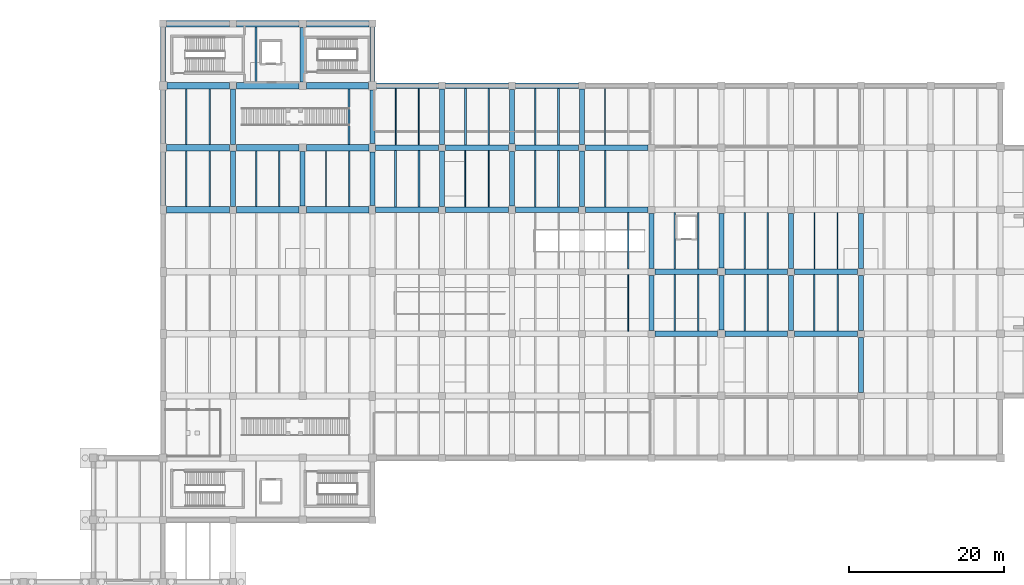
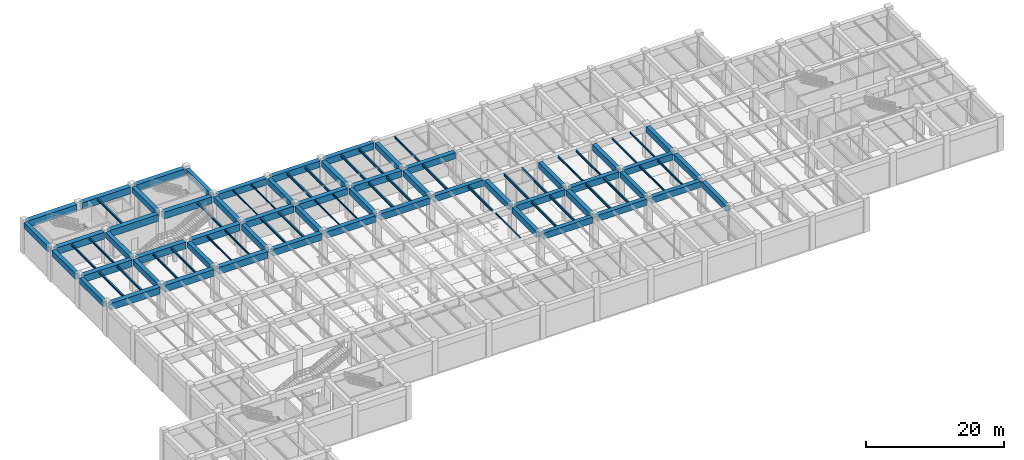
# One storey, part 4 of 20: 92 beams.
"""IFC4 building model written with IfcOpenShell, lengths in metres."""

from ifc_helpers import new_model, si_unit, derived_unit, direction, frame, origin, origin_2d, place, context, subcontext, project, spatial, rectangle, i_section, extrude, material, material_profile, profile_set, type_object, element, save


model = new_model("IFC4")

# Units and contexts
model_context = context("Model", 3, precision=1e-05, world=origin(), true_north=direction((0.0, 1.0)))
body_context = subcontext(model_context, "Body", "Model", "MODEL_VIEW")
ifc_project = project(units=[si_unit("LENGTHUNIT", "METRE"), si_unit("AREAUNIT", "SQUARE_METRE"), si_unit("VOLUMEUNIT", "CUBIC_METRE"), si_unit("PLANEANGLEUNIT", "RADIAN"), si_unit("MASSUNIT", "GRAM", prefix="KILO"), derived_unit("THERMALTRANSMITTANCEUNIT", [(si_unit("MASSUNIT", "GRAM", prefix="KILO"), 1), (si_unit("TIMEUNIT", "SECOND"), -3), (si_unit("THERMODYNAMICTEMPERATUREUNIT", "KELVIN"), -1)])], contexts=[model_context])

# Site, building, storey
site_placement = place(None, origin())
site = spatial("IfcSite", under=ifc_project, at=site_placement, CompositionType="ELEMENT")
building_placement = place(site_placement, origin())
building = spatial("IfcBuilding", under=site, at=building_placement, Name="Zhenchuan Archway Interchange", CompositionType="ELEMENT")
storey_placement = place(building_placement, frame((0.0, 0.0, -6.0)))
storey = spatial("IfcBuildingStorey", under=building, at=storey_placement, Name="B1", CompositionType="ELEMENT", Elevation=-6.0)

# Beams
ifc_material_1 = material(Name="Concrete C40", Category="concrete")
ifc_material_profile_1 = material_profile(ifc_material_1, rectangle(XDim=0.64990234375, YDim=1.0, at=origin_2d()), Name="RC 650x1000")
ifc_profile_set_1 = profile_set([ifc_material_profile_1], Name="Concrete C40")
beam_type_1 = type_object("IfcBeamType", Name="BM_RC_650x1000", PredefinedType="BEAM", material=ifc_profile_set_1)
beam_1_placement = place(storey_placement, frame((36.0, 64.574951171875, 5.080078125), z_axis=(0.0, 1.0, 0.0), x_axis=(-1.0, 0.0, 0.0)))
element("IfcBeam", 1, at=beam_1_placement, inside=storey, type_object=beam_type_1, Name="Beam 5:J-K (B1)", PredefinedType="BEAM", context=body_context, shape_type="SweptSolid", body=[
    extrude(rectangle(XDim=0.64990234375, YDim=1.0, at=origin_2d()), origin(), (0.0, 0.0, 1.0), 6.85009765625),
])
beam_2_placement = place(storey_placement, frame((36.0, 72.574951171875, 5.080078125), z_axis=(0.0, 1.0, 0.0), x_axis=(-1.0, 0.0, 0.0)))
element("IfcBeam", 2, at=beam_2_placement, inside=storey, type_object=beam_type_1, Name="Beam 5:K-L (B1)", PredefinedType="BEAM", context=body_context, shape_type="SweptSolid", body=[
    extrude(rectangle(XDim=0.64990234375, YDim=1.0, at=origin_2d()), origin(), (0.0, 0.0, 1.0), 6.900146484375),
])
beam_3_placement = place(storey_placement, frame((36.0, 80.52490234375, 5.080078125), z_axis=(0.0, 1.0, 0.0), x_axis=(-1.0, 0.0, 0.0)))
element("IfcBeam", 3, at=beam_3_placement, inside=storey, type_object=beam_type_1, Name="Beam 5:L-M (B1)", PredefinedType="BEAM", context=body_context, shape_type="SweptSolid", body=[
    extrude(rectangle(XDim=0.64990234375, YDim=1.0, at=origin_2d()), origin(), (0.0, 0.0, 1.0), 7.025146484375),
])
for number, where, z_axis, x_axis, name in (
    (4, (45.0, 64.449951171875, 5.080078125), (0.0, 1.0, 0.0), (-1.0, 0.0, 0.0), "Beam 6:J-K (B1)"),
    (5, (45.0, 72.449951171875, 5.080078125), (0.0, 1.0, 0.0), (-1.0, 0.0, 0.0), "Beam 6:K-L (B1)"),
):
    element("IfcBeam", number, at=place(storey_placement, frame(where, z_axis=z_axis, x_axis=x_axis)), inside=storey, type_object=beam_type_1, Name=name, PredefinedType="BEAM", context=body_context, shape_type="SweptSolid", body=[
        extrude(rectangle(XDim=0.64990234375, YDim=1.0, at=origin_2d()), origin(), (0.0, 0.0, 1.0), 7.10009765625),
    ])
for number, where, z_axis, x_axis, name in (
    (6, (54.0, 64.47509765625, 5.080078125), (0.0, 1.0, 0.0), (-1.0, 0.0, 0.0), "Beam 7:J-K (B1)"),
    (7, (54.0, 80.47509765625, 5.080078125), (0.0, 1.0, 0.0), (-1.0, 0.0, 0.0), "Beam 7:L-M (B1)"),
):
    element("IfcBeam", number, at=place(storey_placement, frame(where, z_axis=z_axis, x_axis=x_axis)), inside=storey, type_object=beam_type_1, Name=name, PredefinedType="BEAM", context=body_context, shape_type="SweptSolid", body=[
        extrude(rectangle(XDim=0.64990234375, YDim=1.0, at=origin_2d()), origin(), (0.0, 0.0, 1.0), 7.0498046875),
    ])
beam_4_placement = place(storey_placement, frame((63.0, 64.574951171875, 5.080078125), z_axis=(0.0, 1.0, 0.0), x_axis=(-1.0, 0.0, 0.0)))
element("IfcBeam", 8, at=beam_4_placement, inside=storey, type_object=beam_type_1, Name="Beam 8:J-K (B1)", PredefinedType="BEAM", context=body_context, shape_type="SweptSolid", body=[
    extrude(rectangle(XDim=0.64990234375, YDim=1.0, at=origin_2d()), origin(), (0.0, 0.0, 1.0), 6.85009765625),
])
beam_5_placement = place(storey_placement, frame((63.0, 72.574951171875, 5.080078125), z_axis=(0.0, 1.0, 0.0), x_axis=(-1.0, 0.0, 0.0)))
element("IfcBeam", 9, at=beam_5_placement, inside=storey, type_object=beam_type_1, Name="Beam 8:K-L (B1)", PredefinedType="BEAM", context=body_context, shape_type="SweptSolid", body=[
    extrude(rectangle(XDim=0.64990234375, YDim=1.0, at=origin_2d()), origin(), (0.0, 0.0, 1.0), 6.900146484375),
])
beam_6_placement = place(storey_placement, frame((63.0, 80.52490234375, 5.080078125), z_axis=(0.0, 1.0, 0.0), x_axis=(-1.0, 0.0, 0.0)))
element("IfcBeam", 10, at=beam_6_placement, inside=storey, type_object=beam_type_1, Name="Beam 8:L-M (B1)", PredefinedType="BEAM", context=body_context, shape_type="SweptSolid", body=[
    extrude(rectangle(XDim=0.64990234375, YDim=1.0, at=origin_2d()), origin(), (0.0, 0.0, 1.0), 7.025146484375),
])
for number, where, z_axis, x_axis, name in (
    (11, (72.0, 64.449951171875, 5.080078125), (0.0, 1.0, 0.0), (-1.0, 0.0, 0.0), "Beam 9:J-K (B1)"),
    (12, (72.0, 72.449951171875, 5.080078125), (0.0, 1.0, 0.0), (-1.0, 0.0, 0.0), "Beam 9:K-L (B1)"),
):
    element("IfcBeam", number, at=place(storey_placement, frame(where, z_axis=z_axis, x_axis=x_axis)), inside=storey, type_object=beam_type_1, Name=name, PredefinedType="BEAM", context=body_context, shape_type="SweptSolid", body=[
        extrude(rectangle(XDim=0.64990234375, YDim=1.0, at=origin_2d()), origin(), (0.0, 0.0, 1.0), 7.10009765625),
    ])
for number, where, z_axis, x_axis, name in (
    (13, (81.0, 64.47509765625, 5.080078125), (0.0, 1.0, 0.0), (-1.0, 0.0, 0.0), "Beam 10:J-K (B1)"),
    (14, (81.0, 72.47509765625, 5.080078125), (0.0, 1.0, 0.0), (-1.0, 0.0, 0.0), "Beam 10:K-L (B1)"),
):
    element("IfcBeam", number, at=place(storey_placement, frame(where, z_axis=z_axis, x_axis=x_axis)), inside=storey, type_object=beam_type_1, Name=name, PredefinedType="BEAM", context=body_context, shape_type="SweptSolid", body=[
        extrude(rectangle(XDim=0.64990234375, YDim=1.0, at=origin_2d()), origin(), (0.0, 0.0, 1.0), 7.0498046875),
    ])
for number, where, z_axis, x_axis, name in (
    (15, (90.0, 64.449951171875, 5.080078125), (0.0, 1.0, 0.0), (-1.0, 0.0, 0.0), "Beam 11:J-K (B1)"),
    (16, (90.0, 72.449951171875, 5.080078125), (0.0, 1.0, 0.0), (-1.0, 0.0, 0.0), "Beam 11:K-L (B1)"),
):
    element("IfcBeam", number, at=place(storey_placement, frame(where, z_axis=z_axis, x_axis=x_axis)), inside=storey, type_object=beam_type_1, Name=name, PredefinedType="BEAM", context=body_context, shape_type="SweptSolid", body=[
        extrude(rectangle(XDim=0.64990234375, YDim=1.0, at=origin_2d()), origin(), (0.0, 0.0, 1.0), 7.10009765625),
    ])
ifc_material_profile_2 = material_profile(ifc_material_1, rectangle(XDim=0.64990234375, YDim=1.050048828125, at=origin_2d()), Name="RC 650x1050")
ifc_profile_set_2 = profile_set([ifc_material_profile_2], Name="Concrete C40")
beam_type_2 = type_object("IfcBeamType", Name="BM_RC_650x1050", PredefinedType="BEAM", material=ifc_profile_set_2)
for number, where, z_axis, x_axis, name in (
    (17, (99.0, 48.449951171875, 5.054931640625), (0.0, 1.0, 0.0), (-1.0, 0.0, 0.0), "Beam 12:G-H (B1)"),
    (18, (99.0, 56.449951171875, 5.054931640625), (0.0, 1.0, 0.0), (-1.0, 0.0, 0.0), "Beam 12:H-J (B1)"),
):
    element("IfcBeam", number, at=place(storey_placement, frame(where, z_axis=z_axis, x_axis=x_axis)), inside=storey, type_object=beam_type_2, Name=name, PredefinedType="BEAM", context=body_context, shape_type="SweptSolid", body=[
        extrude(rectangle(XDim=0.64990234375, YDim=1.050048828125, at=origin_2d()), origin(), (0.0, 0.0, 1.0), 7.10009765625),
    ])
for number, where, z_axis, x_axis, name in (
    (19, (108.0, 48.47509765625, 5.054931640625), (0.0, 1.0, 0.0), (-1.0, 0.0, 0.0), "Beam 13:G-H (B1)"),
    (20, (108.0, 56.47509765625, 5.054931640625), (0.0, 1.0, 0.0), (-1.0, 0.0, 0.0), "Beam 13:H-J (B1)"),
):
    element("IfcBeam", number, at=place(storey_placement, frame(where, z_axis=z_axis, x_axis=x_axis)), inside=storey, type_object=beam_type_2, Name=name, PredefinedType="BEAM", context=body_context, shape_type="SweptSolid", body=[
        extrude(rectangle(XDim=0.64990234375, YDim=1.050048828125, at=origin_2d()), origin(), (0.0, 0.0, 1.0), 7.0498046875),
    ])
for number, where, z_axis, x_axis, name in (
    (21, (117.0, 48.449951171875, 5.054931640625), (0.0, 1.0, 0.0), (-1.0, 0.0, 0.0), "Beam 14:G-H (B1)"),
    (22, (117.0, 56.449951171875, 5.054931640625), (0.0, 1.0, 0.0), (-1.0, 0.0, 0.0), "Beam 14:H-J (B1)"),
    (23, (126.0, 40.449951171875, 5.054931640625), (0.0, 1.0, 0.0), (-1.0, 0.0, 0.0), "Beam 15:F-G (B1)"),
    (24, (126.0, 48.449951171875, 5.054931640625), (0.0, 1.0, 0.0), (-1.0, 0.0, 0.0), "Beam 15:G-H (B1)"),
    (25, (126.0, 56.449951171875, 5.054931640625), (0.0, 1.0, 0.0), (-1.0, 0.0, 0.0), "Beam 15:H-J (B1)"),
):
    element("IfcBeam", number, at=place(storey_placement, frame(where, z_axis=z_axis, x_axis=x_axis)), inside=storey, type_object=beam_type_2, Name=name, PredefinedType="BEAM", context=body_context, shape_type="SweptSolid", body=[
        extrude(rectangle(XDim=0.64990234375, YDim=1.050048828125, at=origin_2d()), origin(), (0.0, 0.0, 1.0), 7.10009765625),
    ])
ifc_material_profile_3 = material_profile(ifc_material_1, rectangle(XDim=0.699951171875, YDim=1.10009765625, at=origin_2d()), Name="RC 700x1100")
ifc_profile_set_3 = profile_set([ifc_material_profile_3], Name="Concrete C40")
beam_type_3 = type_object("IfcBeamType", Name="BM_RC_700x1100", PredefinedType="BEAM", material=ifc_profile_set_3)
for number, where, z_axis, x_axis, name in (
    (26, (99.449951171875, 48.0, 5.030029296875), (1.0, 0.0, 0.0), (0.0, 1.0, 0.0), "Beam G:12-13 (B1)"),
    (27, (108.47509765625, 48.0, 5.030029296875), (1.0, 0.0, 0.0), (0.0, 1.0, 0.0), "Beam G:13-14 (B1)"),
):
    element("IfcBeam", number, at=place(storey_placement, frame(where, z_axis=z_axis, x_axis=x_axis)), inside=storey, type_object=beam_type_3, Name=name, PredefinedType="BEAM", context=body_context, shape_type="SweptSolid", body=[
        extrude(rectangle(XDim=0.699951171875, YDim=1.10009765625, at=origin_2d()), origin(), (0.0, 0.0, 1.0), 8.074951171875),
    ])
beam_7_placement = place(storey_placement, frame((117.449951171875, 48.0, 5.030029296875), z_axis=(1.0, 0.0, 0.0), x_axis=(0.0, 1.0, 0.0)))
element("IfcBeam", 28, at=beam_7_placement, inside=storey, type_object=beam_type_3, Name="Beam G:14-15 (B1)", PredefinedType="BEAM", context=body_context, shape_type="SweptSolid", body=[
    extrude(rectangle(XDim=0.699951171875, YDim=1.10009765625, at=origin_2d()), origin(), (0.0, 0.0, 1.0), 8.10009765625),
])
for number, where, z_axis, x_axis, name in (
    (29, (99.449951171875, 56.0, 5.030029296875), (1.0, 0.0, 0.0), (0.0, 1.0, 0.0), "Beam H:12-13 (B1)"),
    (30, (108.47509765625, 56.0, 5.030029296875), (1.0, 0.0, 0.0), (0.0, 1.0, 0.0), "Beam H:13-14 (B1)"),
):
    element("IfcBeam", number, at=place(storey_placement, frame(where, z_axis=z_axis, x_axis=x_axis)), inside=storey, type_object=beam_type_3, Name=name, PredefinedType="BEAM", context=body_context, shape_type="SweptSolid", body=[
        extrude(rectangle(XDim=0.699951171875, YDim=1.10009765625, at=origin_2d()), origin(), (0.0, 0.0, 1.0), 8.074951171875),
    ])
for number, where, z_axis, x_axis, name in (
    (31, (117.449951171875, 56.0, 5.030029296875), (1.0, 0.0, 0.0), (0.0, 1.0, 0.0), "Beam H:14-15 (B1)"),
    (32, (90.449951171875, 64.0, 5.030029296875), (1.0, 0.0, 0.0), (0.0, 1.0, 0.0), "Beam J:11-12 (B1)"),
    (33, (90.449951171875, 72.0, 5.030029296875), (1.0, 0.0, 0.0), (0.0, 1.0, 0.0), "Beam K:11-12 (B1)"),
):
    element("IfcBeam", number, at=place(storey_placement, frame(where, z_axis=z_axis, x_axis=x_axis)), inside=storey, type_object=beam_type_3, Name=name, PredefinedType="BEAM", context=body_context, shape_type="SweptSolid", body=[
        extrude(rectangle(XDim=0.699951171875, YDim=1.10009765625, at=origin_2d()), origin(), (0.0, 0.0, 1.0), 8.10009765625),
    ])
ifc_material_profile_4 = material_profile(ifc_material_1, rectangle(XDim=0.75, YDim=1.14990234375, at=origin_2d()), Name="RC 750x1150")
ifc_profile_set_4 = profile_set([ifc_material_profile_4], Name="Concrete C40")
beam_type_4 = type_object("IfcBeamType", Name="BM_RC_750x1150", PredefinedType="BEAM", material=ifc_profile_set_4)
beam_8_placement = place(storey_placement, frame((63.425048828125, 64.0, 5.0048828125), z_axis=(1.0, 0.0, 0.0), x_axis=(0.0, 1.0, 0.0)))
element("IfcBeam", 34, at=beam_8_placement, inside=storey, type_object=beam_type_4, Name="Beam J:8-9 (B1)", PredefinedType="BEAM", context=body_context, shape_type="SweptSolid", body=[
    extrude(rectangle(XDim=0.75, YDim=1.14990234375, at=origin_2d()), origin(), (0.0, 0.0, 1.0), 8.125),
])
for number, where, z_axis, x_axis, name in (
    (35, (72.449951171875, 64.0, 5.0048828125), (1.0, 0.0, 0.0), (0.0, 1.0, 0.0), "Beam J:9-10 (B1)"),
    (36, (81.47509765625, 64.0, 5.0048828125), (1.0, 0.0, 0.0), (0.0, 1.0, 0.0), "Beam J:10-11 (B1)"),
):
    element("IfcBeam", number, at=place(storey_placement, frame(where, z_axis=z_axis, x_axis=x_axis)), inside=storey, type_object=beam_type_4, Name=name, PredefinedType="BEAM", context=body_context, shape_type="SweptSolid", body=[
        extrude(rectangle(XDim=0.75, YDim=1.14990234375, at=origin_2d()), origin(), (0.0, 0.0, 1.0), 8.074951171875),
    ])
beam_9_placement = place(storey_placement, frame((63.425048828125, 72.0, 5.0048828125), z_axis=(1.0, 0.0, 0.0), x_axis=(0.0, 1.0, 0.0)))
element("IfcBeam", 37, at=beam_9_placement, inside=storey, type_object=beam_type_4, Name="Beam K:8-9 (B1)", PredefinedType="BEAM", context=body_context, shape_type="SweptSolid", body=[
    extrude(rectangle(XDim=0.75, YDim=1.14990234375, at=origin_2d()), origin(), (0.0, 0.0, 1.0), 8.125),
])
for number, where, z_axis, x_axis, name in (
    (38, (72.449951171875, 72.0, 5.0048828125), (1.0, 0.0, 0.0), (0.0, 1.0, 0.0), "Beam K:9-10 (B1)"),
    (39, (81.47509765625, 72.0, 5.0048828125), (1.0, 0.0, 0.0), (0.0, 1.0, 0.0), "Beam K:10-11 (B1)"),
):
    element("IfcBeam", number, at=place(storey_placement, frame(where, z_axis=z_axis, x_axis=x_axis)), inside=storey, type_object=beam_type_4, Name=name, PredefinedType="BEAM", context=body_context, shape_type="SweptSolid", body=[
        extrude(rectangle(XDim=0.75, YDim=1.14990234375, at=origin_2d()), origin(), (0.0, 0.0, 1.0), 8.074951171875),
    ])
beam_10_placement = place(storey_placement, frame((63.52490234375, 80.0, 5.0048828125), z_axis=(1.0, 0.0, 0.0), x_axis=(0.0, 1.0, 0.0)))
element("IfcBeam", 40, at=beam_10_placement, inside=storey, type_object=beam_type_4, Name="Beam L:8-9 (B1)", PredefinedType="BEAM", context=body_context, shape_type="SweptSolid", body=[
    extrude(rectangle(XDim=0.75, YDim=1.14990234375, at=origin_2d()), origin(), (0.0, 0.0, 1.0), 8.025146484375),
])
for number, where, z_axis, x_axis, name in (
    (41, (72.449951171875, 80.0, 5.0048828125), (1.0, 0.0, 0.0), (0.0, 1.0, 0.0), "Beam L:9-10 (B1)"),
    (42, (81.47509765625, 80.0, 5.0048828125), (1.0, 0.0, 0.0), (0.0, 1.0, 0.0), "Beam L:10-11 (B1)"),
):
    element("IfcBeam", number, at=place(storey_placement, frame(where, z_axis=z_axis, x_axis=x_axis)), inside=storey, type_object=beam_type_4, Name=name, PredefinedType="BEAM", context=body_context, shape_type="SweptSolid", body=[
        extrude(rectangle(XDim=0.75, YDim=1.14990234375, at=origin_2d()), origin(), (0.0, 0.0, 1.0), 8.074951171875),
    ])
ifc_material_2 = material(Name="Concrete C50", Category="concrete")
ifc_material_profile_5 = material_profile(ifc_material_2, rectangle(XDim=0.800048828125, YDim=1.199951171875, at=origin_2d()), Name="RC 800x1200")
ifc_profile_set_5 = profile_set([ifc_material_profile_5], Name="Concrete C50")
beam_type_5 = type_object("IfcBeamType", Name="BM_RC_800x1200", PredefinedType="BEAM", material=ifc_profile_set_5)
beam_11_placement = place(storey_placement, frame((36.425048828125, 64.0, 4.97998046875), z_axis=(1.0, 0.0, 0.0), x_axis=(0.0, 1.0, 0.0)))
element("IfcBeam", 43, at=beam_11_placement, inside=storey, type_object=beam_type_5, Name="Beam J:5-6 (B1)", PredefinedType="BEAM", context=body_context, shape_type="SweptSolid", body=[
    extrude(rectangle(XDim=0.800048828125, YDim=1.199951171875, at=origin_2d()), origin(), (0.0, 0.0, 1.0), 8.125),
])
beam_12_placement = place(storey_placement, frame((45.449951171875, 64.0, 4.97998046875), z_axis=(1.0, 0.0, 0.0), x_axis=(0.0, 1.0, 0.0)))
element("IfcBeam", 44, at=beam_12_placement, inside=storey, type_object=beam_type_5, Name="Beam J:6-7 (B1)", PredefinedType="BEAM", context=body_context, shape_type="SweptSolid", body=[
    extrude(rectangle(XDim=0.800048828125, YDim=1.199951171875, at=origin_2d()), origin(), (0.0, 0.0, 1.0), 8.074951171875),
])
beam_13_placement = place(storey_placement, frame((54.47509765625, 64.0, 4.97998046875), z_axis=(1.0, 0.0, 0.0), x_axis=(0.0, 1.0, 0.0)))
element("IfcBeam", 45, at=beam_13_placement, inside=storey, type_object=beam_type_5, Name="Beam J:7-8 (B1)", PredefinedType="BEAM", context=body_context, shape_type="SweptSolid", body=[
    extrude(rectangle(XDim=0.800048828125, YDim=1.199951171875, at=origin_2d()), origin(), (0.0, 0.0, 1.0), 8.099853515625),
])
beam_14_placement = place(storey_placement, frame((36.425048828125, 72.0, 4.97998046875), z_axis=(1.0, 0.0, 0.0), x_axis=(0.0, 1.0, 0.0)))
element("IfcBeam", 46, at=beam_14_placement, inside=storey, type_object=beam_type_5, Name="Beam K:5-6 (B1)", PredefinedType="BEAM", context=body_context, shape_type="SweptSolid", body=[
    extrude(rectangle(XDim=0.800048828125, YDim=1.199951171875, at=origin_2d()), origin(), (0.0, 0.0, 1.0), 8.125),
])
beam_15_placement = place(storey_placement, frame((45.449951171875, 72.0, 4.97998046875), z_axis=(1.0, 0.0, 0.0), x_axis=(0.0, 1.0, 0.0)))
element("IfcBeam", 47, at=beam_15_placement, inside=storey, type_object=beam_type_5, Name="Beam K:6-7 (B1)", PredefinedType="BEAM", context=body_context, shape_type="SweptSolid", body=[
    extrude(rectangle(XDim=0.800048828125, YDim=1.199951171875, at=origin_2d()), origin(), (0.0, 0.0, 1.0), 8.074951171875),
])
beam_16_placement = place(storey_placement, frame((54.47509765625, 72.0, 4.97998046875), z_axis=(1.0, 0.0, 0.0), x_axis=(0.0, 1.0, 0.0)))
element("IfcBeam", 48, at=beam_16_placement, inside=storey, type_object=beam_type_5, Name="Beam K:7-8 (B1)", PredefinedType="BEAM", context=body_context, shape_type="SweptSolid", body=[
    extrude(rectangle(XDim=0.800048828125, YDim=1.199951171875, at=origin_2d()), origin(), (0.0, 0.0, 1.0), 8.099853515625),
])
beam_17_placement = place(storey_placement, frame((36.52490234375, 80.0, 4.97998046875), z_axis=(1.0, 0.0, 0.0), x_axis=(0.0, 1.0, 0.0)))
element("IfcBeam", 49, at=beam_17_placement, inside=storey, type_object=beam_type_5, Name="Beam L:5-6 (B1)", PredefinedType="BEAM", context=body_context, shape_type="SweptSolid", body=[
    extrude(rectangle(XDim=0.800048828125, YDim=1.199951171875, at=origin_2d()), origin(), (0.0, 0.0, 1.0), 8.025146484375),
])
beam_18_placement = place(storey_placement, frame((45.449951171875, 80.0, 4.97998046875), z_axis=(1.0, 0.0, 0.0), x_axis=(0.0, 1.0, 0.0)))
element("IfcBeam", 50, at=beam_18_placement, inside=storey, type_object=beam_type_5, Name="Beam L:6-7 (B1)", PredefinedType="BEAM", context=body_context, shape_type="SweptSolid", body=[
    extrude(rectangle(XDim=0.800048828125, YDim=1.199951171875, at=origin_2d()), origin(), (0.0, 0.0, 1.0), 8.074951171875),
])
beam_19_placement = place(storey_placement, frame((54.47509765625, 80.0, 4.97998046875), z_axis=(1.0, 0.0, 0.0), x_axis=(0.0, 1.0, 0.0)))
element("IfcBeam", 51, at=beam_19_placement, inside=storey, type_object=beam_type_5, Name="Beam L:7-8 (B1)", PredefinedType="BEAM", context=body_context, shape_type="SweptSolid", body=[
    extrude(rectangle(XDim=0.800048828125, YDim=1.199951171875, at=origin_2d()), origin(), (0.0, 0.0, 1.0), 8.0),
])
beam_20_placement = place(storey_placement, frame((36.449951171875, 88.0, 4.97998046875), z_axis=(1.0, 0.0, 0.0), x_axis=(0.0, 1.0, 0.0)))
element("IfcBeam", 52, at=beam_20_placement, inside=storey, type_object=beam_type_5, Name="Beam M:5-6 (B1)", PredefinedType="BEAM", context=body_context, shape_type="SweptSolid", body=[
    extrude(rectangle(XDim=0.800048828125, YDim=1.199951171875, at=origin_2d()), origin(), (0.0, 0.0, 1.0), 8.10009765625),
])
for number, where, z_axis, x_axis, name in (
    (53, (45.449951171875, 88.0, 4.97998046875), (1.0, 0.0, 0.0), (0.0, 1.0, 0.0), "Beam M:6-7 (B1)"),
    (54, (54.47509765625, 88.0, 4.97998046875), (1.0, 0.0, 0.0), (0.0, 1.0, 0.0), "Beam M:7-8 (B1)"),
):
    element("IfcBeam", number, at=place(storey_placement, frame(where, z_axis=z_axis, x_axis=x_axis)), inside=storey, type_object=beam_type_5, Name=name, PredefinedType="BEAM", context=body_context, shape_type="SweptSolid", body=[
        extrude(rectangle(XDim=0.800048828125, YDim=1.199951171875, at=origin_2d()), origin(), (0.0, 0.0, 1.0), 8.074951171875),
    ])
ifc_material_3 = material(Name="Steel Q355", Category="steel")
ifc_material_profile_6 = material_profile(ifc_material_3, i_section(OverallWidth=0.25, OverallDepth=0.340087890625, WebThickness=0.009033203125, FlangeThickness=0.013916015625, FilletRadius=0.01806640625, at=origin_2d()), Name="HM 340x250")
ifc_profile_set_6 = profile_set([ifc_material_profile_6], Name="Steel Q355")
beam_type_6 = type_object("IfcBeamType", Name="JST_STL_HM340", PredefinedType="JOIST", material=ifc_profile_set_6)
for number, where, z_axis, x_axis, name in (
    (55, (48.0, 80.39990234375, 5.409912109375), (0.0, 1.0, 0.0), (-1.0, 0.0, 0.0), "Secondary joist 6-7/L-M #1 (B1)"),
    (56, (60.0, 72.39990234375, 5.409912109375), (0.0, 1.0, 0.0), (-1.0, 0.0, 0.0), "Secondary joist 7-8/K-L #2 (B1)"),
):
    element("IfcBeam", number, at=place(storey_placement, frame(where, z_axis=z_axis, x_axis=x_axis)), inside=storey, type_object=beam_type_6, Name=name, PredefinedType="JOIST", context=body_context, shape_type="SweptSolid", body=[
        extrude(i_section(OverallWidth=0.25, OverallDepth=0.340087890625, WebThickness=0.009033203125, FlangeThickness=0.013916015625, FilletRadius=0.01806640625, at=origin_2d()), origin(), (0.0, 0.0, 1.0), 7.2001953125),
    ])
for number, where, z_axis, x_axis, name in (
    (57, (66.0, 64.375, 5.409912109375), (0.0, 1.0, 0.0), (-1.0, 0.0, 0.0), "Secondary joist 8-9/J-K #1 (B1)"),
    (58, (69.0, 64.375, 5.409912109375), (0.0, 1.0, 0.0), (-1.0, 0.0, 0.0), "Secondary joist 8-9/J-K #2 (B1)"),
):
    element("IfcBeam", number, at=place(storey_placement, frame(where, z_axis=z_axis, x_axis=x_axis)), inside=storey, type_object=beam_type_6, Name=name, PredefinedType="JOIST", context=body_context, shape_type="SweptSolid", body=[
        extrude(i_section(OverallWidth=0.25, OverallDepth=0.340087890625, WebThickness=0.009033203125, FlangeThickness=0.013916015625, FilletRadius=0.01806640625, at=origin_2d()), origin(), (0.0, 0.0, 1.0), 7.25),
    ])
ifc_material_profile_7 = material_profile(ifc_material_3, i_section(OverallWidth=0.125, OverallDepth=0.25, WebThickness=0.006103515625, FlangeThickness=0.009033203125, FilletRadius=0.011962890625, at=origin_2d()), Name="HN 250x125")
ifc_profile_set_7 = profile_set([ifc_material_profile_7], Name="Steel Q355")
beam_type_7 = type_object("IfcBeamType", Name="JST_STL_HN250", PredefinedType="JOIST", material=ifc_profile_set_7)
for number, where, z_axis, x_axis, name in (
    (59, (66.0, 72.375, 5.455078125), (0.0, 1.0, 0.0), (-1.0, 0.0, 0.0), "Secondary joist 8-9/K-L #1 (B1)"),
    (60, (69.0, 72.375, 5.455078125), (0.0, 1.0, 0.0), (-1.0, 0.0, 0.0), "Secondary joist 8-9/K-L #2 (B1)"),
    (61, (75.0, 64.375, 5.455078125), (0.0, 1.0, 0.0), (-1.0, 0.0, 0.0), "Secondary joist 9-10/J-K #1 (B1)"),
    (62, (78.0, 64.375, 5.455078125), (0.0, 1.0, 0.0), (-1.0, 0.0, 0.0), "Secondary joist 9-10/J-K #2 (B1)"),
):
    element("IfcBeam", number, at=place(storey_placement, frame(where, z_axis=z_axis, x_axis=x_axis)), inside=storey, type_object=beam_type_7, Name=name, PredefinedType="JOIST", context=body_context, shape_type="SweptSolid", body=[
        extrude(i_section(OverallWidth=0.125, OverallDepth=0.25, WebThickness=0.006103515625, FlangeThickness=0.009033203125, FilletRadius=0.011962890625, at=origin_2d()), origin(), (0.0, 0.0, 1.0), 7.25),
    ])
beam_21_placement = place(storey_placement, frame((96.0, 48.35009765625, 5.455078125), z_axis=(0.0, 1.0, 0.0), x_axis=(-1.0, 0.0, 0.0)))
element("IfcBeam", 63, at=beam_21_placement, inside=storey, type_object=beam_type_7, Name="Secondary joist 11-12/G-H #2 (B1)", PredefinedType="JOIST", context=body_context, shape_type="SweptSolid", body=[
    extrude(i_section(OverallWidth=0.125, OverallDepth=0.25, WebThickness=0.006103515625, FlangeThickness=0.009033203125, FilletRadius=0.011962890625, at=origin_2d()), origin(), (0.0, 0.0, 1.0), 7.2998046875),
])
ifc_material_profile_8 = material_profile(ifc_material_3, i_section(OverallWidth=0.14990234375, OverallDepth=0.300048828125, WebThickness=0.006591796875, FlangeThickness=0.009033203125, FilletRadius=0.012939453125, at=origin_2d()), Name="HN 300x150")
ifc_profile_set_8 = profile_set([ifc_material_profile_8], Name="Steel Q355")
beam_type_8 = type_object("IfcBeamType", Name="JST_STL_HN300", PredefinedType="JOIST", material=ifc_profile_set_8)
for number, where, z_axis, x_axis, name in (
    (64, (57.0, 64.39990234375, 5.429931640625), (0.0, 1.0, 0.0), (-1.0, 0.0, 0.0), "Secondary joist 7-8/J-K #1 (B1)"),
    (65, (60.0, 64.39990234375, 5.429931640625), (0.0, 1.0, 0.0), (-1.0, 0.0, 0.0), "Secondary joist 7-8/J-K #2 (B1)"),
):
    element("IfcBeam", number, at=place(storey_placement, frame(where, z_axis=z_axis, x_axis=x_axis)), inside=storey, type_object=beam_type_8, Name=name, PredefinedType="JOIST", context=body_context, shape_type="SweptSolid", body=[
        extrude(i_section(OverallWidth=0.14990234375, OverallDepth=0.300048828125, WebThickness=0.006591796875, FlangeThickness=0.009033203125, FilletRadius=0.012939453125, at=origin_2d()), origin(), (0.0, 0.0, 1.0), 7.2001953125),
    ])
for number, where, z_axis, x_axis, name in (
    (66, (120.0, 56.35009765625, 5.429931640625), (0.0, 1.0, 0.0), (-1.0, 0.0, 0.0), "Secondary joist 14-15/H-J #1 (B1)"),
    (67, (123.0, 56.35009765625, 5.429931640625), (0.0, 1.0, 0.0), (-1.0, 0.0, 0.0), "Secondary joist 14-15/H-J #2 (B1)"),
):
    element("IfcBeam", number, at=place(storey_placement, frame(where, z_axis=z_axis, x_axis=x_axis)), inside=storey, type_object=beam_type_8, Name=name, PredefinedType="JOIST", context=body_context, shape_type="SweptSolid", body=[
        extrude(i_section(OverallWidth=0.14990234375, OverallDepth=0.300048828125, WebThickness=0.006591796875, FlangeThickness=0.009033203125, FilletRadius=0.012939453125, at=origin_2d()), origin(), (0.0, 0.0, 1.0), 7.2998046875),
    ])
ifc_material_profile_9 = material_profile(ifc_material_3, i_section(OverallWidth=0.175048828125, OverallDepth=0.35009765625, WebThickness=0.007080078125, FlangeThickness=0.010986328125, FilletRadius=0.013916015625, at=origin_2d()), Name="HN 350x175")
ifc_profile_set_9 = profile_set([ifc_material_profile_9], Name="Steel Q355")
beam_type_9 = type_object("IfcBeamType", Name="JST_STL_HN350", PredefinedType="JOIST", material=ifc_profile_set_9)
for number, where, z_axis, x_axis, name in (
    (68, (39.0, 72.39990234375, 5.405029296875), (0.0, 1.0, 0.0), (-1.0, 0.0, 0.0), "Secondary joist 5-6/K-L #1 (B1)"),
    (69, (42.0, 72.39990234375, 5.405029296875), (0.0, 1.0, 0.0), (-1.0, 0.0, 0.0), "Secondary joist 5-6/K-L #2 (B1)"),
    (70, (48.0, 64.39990234375, 5.405029296875), (0.0, 1.0, 0.0), (-1.0, 0.0, 0.0), "Secondary joist 6-7/J-K #1 (B1)"),
    (71, (51.0, 64.39990234375, 5.405029296875), (0.0, 1.0, 0.0), (-1.0, 0.0, 0.0), "Secondary joist 6-7/J-K #2 (B1)"),
):
    element("IfcBeam", number, at=place(storey_placement, frame(where, z_axis=z_axis, x_axis=x_axis)), inside=storey, type_object=beam_type_9, Name=name, PredefinedType="JOIST", context=body_context, shape_type="SweptSolid", body=[
        extrude(i_section(OverallWidth=0.175048828125, OverallDepth=0.35009765625, WebThickness=0.007080078125, FlangeThickness=0.010986328125, FilletRadius=0.013916015625, at=origin_2d()), origin(), (0.0, 0.0, 1.0), 7.2001953125),
    ])
for number, where, z_axis, x_axis, name in (
    (72, (93.0, 72.35009765625, 5.405029296875), (0.0, 1.0, 0.0), (-1.0, 0.0, 0.0), "Secondary joist 11-12/K-L #1 (B1)"),
    (73, (111.0, 56.35009765625, 5.405029296875), (0.0, 1.0, 0.0), (-1.0, 0.0, 0.0), "Secondary joist 13-14/H-J #1 (B1)"),
    (74, (114.0, 56.35009765625, 5.405029296875), (0.0, 1.0, 0.0), (-1.0, 0.0, 0.0), "Secondary joist 13-14/H-J #2 (B1)"),
    (75, (120.0, 48.35009765625, 5.405029296875), (0.0, 1.0, 0.0), (-1.0, 0.0, 0.0), "Secondary joist 14-15/G-H #1 (B1)"),
    (76, (123.0, 48.35009765625, 5.405029296875), (0.0, 1.0, 0.0), (-1.0, 0.0, 0.0), "Secondary joist 14-15/G-H #2 (B1)"),
):
    element("IfcBeam", number, at=place(storey_placement, frame(where, z_axis=z_axis, x_axis=x_axis)), inside=storey, type_object=beam_type_9, Name=name, PredefinedType="JOIST", context=body_context, shape_type="SweptSolid", body=[
        extrude(i_section(OverallWidth=0.175048828125, OverallDepth=0.35009765625, WebThickness=0.007080078125, FlangeThickness=0.010986328125, FilletRadius=0.013916015625, at=origin_2d()), origin(), (0.0, 0.0, 1.0), 7.2998046875),
    ])
ifc_material_profile_10 = material_profile(ifc_material_3, i_section(OverallWidth=0.199951171875, OverallDepth=0.39990234375, WebThickness=0.008056640625, FlangeThickness=0.012939453125, FilletRadius=0.01611328125, at=origin_2d()), Name="HN 400x200")
ifc_profile_set_10 = profile_set([ifc_material_profile_10], Name="Steel Q355")
beam_type_10 = type_object("IfcBeamType", Name="JST_STL_HN400", PredefinedType="JOIST", material=ifc_profile_set_10)
for number, where, z_axis, x_axis, name in (
    (77, (39.0, 64.39990234375, 5.3798828125), (0.0, 1.0, 0.0), (-1.0, 0.0, 0.0), "Secondary joist 5-6/J-K #1 (B1)"),
    (78, (42.0, 64.39990234375, 5.3798828125), (0.0, 1.0, 0.0), (-1.0, 0.0, 0.0), "Secondary joist 5-6/J-K #2 (B1)"),
):
    element("IfcBeam", number, at=place(storey_placement, frame(where, z_axis=z_axis, x_axis=x_axis)), inside=storey, type_object=beam_type_10, Name=name, PredefinedType="JOIST", context=body_context, shape_type="SweptSolid", body=[
        extrude(i_section(OverallWidth=0.199951171875, OverallDepth=0.39990234375, WebThickness=0.008056640625, FlangeThickness=0.012939453125, FilletRadius=0.01611328125, at=origin_2d()), origin(), (0.0, 0.0, 1.0), 7.2001953125),
    ])
for number, where, z_axis, x_axis, name in (
    (79, (84.0, 72.375, 5.3798828125), (0.0, 1.0, 0.0), (-1.0, 0.0, 0.0), "Secondary joist 10-11/K-L #1 (B1)"),
    (80, (87.0, 72.375, 5.3798828125), (0.0, 1.0, 0.0), (-1.0, 0.0, 0.0), "Secondary joist 10-11/K-L #2 (B1)"),
):
    element("IfcBeam", number, at=place(storey_placement, frame(where, z_axis=z_axis, x_axis=x_axis)), inside=storey, type_object=beam_type_10, Name=name, PredefinedType="JOIST", context=body_context, shape_type="SweptSolid", body=[
        extrude(i_section(OverallWidth=0.199951171875, OverallDepth=0.39990234375, WebThickness=0.008056640625, FlangeThickness=0.012939453125, FilletRadius=0.01611328125, at=origin_2d()), origin(), (0.0, 0.0, 1.0), 7.25),
    ])
for number, where, z_axis, x_axis, name in (
    (81, (93.0, 64.35009765625, 5.3798828125), (0.0, 1.0, 0.0), (-1.0, 0.0, 0.0), "Secondary joist 11-12/J-K #1 (B1)"),
    (82, (102.0, 56.35009765625, 5.3798828125), (0.0, 1.0, 0.0), (-1.0, 0.0, 0.0), "Secondary joist 12-13/H-J #1 (B1)"),
    (83, (105.0, 56.35009765625, 5.3798828125), (0.0, 1.0, 0.0), (-1.0, 0.0, 0.0), "Secondary joist 12-13/H-J #2 (B1)"),
    (84, (111.0, 48.35009765625, 5.3798828125), (0.0, 1.0, 0.0), (-1.0, 0.0, 0.0), "Secondary joist 13-14/G-H #1 (B1)"),
    (85, (114.0, 48.35009765625, 5.3798828125), (0.0, 1.0, 0.0), (-1.0, 0.0, 0.0), "Secondary joist 13-14/G-H #2 (B1)"),
):
    element("IfcBeam", number, at=place(storey_placement, frame(where, z_axis=z_axis, x_axis=x_axis)), inside=storey, type_object=beam_type_10, Name=name, PredefinedType="JOIST", context=body_context, shape_type="SweptSolid", body=[
        extrude(i_section(OverallWidth=0.199951171875, OverallDepth=0.39990234375, WebThickness=0.008056640625, FlangeThickness=0.012939453125, FilletRadius=0.01611328125, at=origin_2d()), origin(), (0.0, 0.0, 1.0), 7.2998046875),
    ])
ifc_material_profile_11 = material_profile(ifc_material_3, i_section(OverallWidth=0.199951171875, OverallDepth=0.449951171875, WebThickness=0.009033203125, FlangeThickness=0.013916015625, FilletRadius=0.01806640625, at=origin_2d()), Name="HN 450x200")
ifc_profile_set_11 = profile_set([ifc_material_profile_11], Name="Steel Q355")
beam_type_11 = type_object("IfcBeamType", Name="JST_STL_HN450", PredefinedType="JOIST", material=ifc_profile_set_11)
for number, where, z_axis, x_axis, name in (
    (86, (75.0, 72.375, 5.35498046875), (0.0, 1.0, 0.0), (-1.0, 0.0, 0.0), "Secondary joist 9-10/K-L #1 (B1)"),
    (87, (78.0, 72.375, 5.35498046875), (0.0, 1.0, 0.0), (-1.0, 0.0, 0.0), "Secondary joist 9-10/K-L #2 (B1)"),
    (88, (84.0, 64.375, 5.35498046875), (0.0, 1.0, 0.0), (-1.0, 0.0, 0.0), "Secondary joist 10-11/J-K #1 (B1)"),
    (89, (87.0, 64.375, 5.35498046875), (0.0, 1.0, 0.0), (-1.0, 0.0, 0.0), "Secondary joist 10-11/J-K #2 (B1)"),
):
    element("IfcBeam", number, at=place(storey_placement, frame(where, z_axis=z_axis, x_axis=x_axis)), inside=storey, type_object=beam_type_11, Name=name, PredefinedType="JOIST", context=body_context, shape_type="SweptSolid", body=[
        extrude(i_section(OverallWidth=0.199951171875, OverallDepth=0.449951171875, WebThickness=0.009033203125, FlangeThickness=0.013916015625, FilletRadius=0.01806640625, at=origin_2d()), origin(), (0.0, 0.0, 1.0), 7.25),
    ])
for number, where, z_axis, x_axis, name in (
    (90, (96.0, 56.35009765625, 5.35498046875), (0.0, 1.0, 0.0), (-1.0, 0.0, 0.0), "Secondary joist 11-12/H-J #2 (B1)"),
    (91, (102.0, 48.35009765625, 5.35498046875), (0.0, 1.0, 0.0), (-1.0, 0.0, 0.0), "Secondary joist 12-13/G-H #1 (B1)"),
    (92, (105.0, 48.35009765625, 5.35498046875), (0.0, 1.0, 0.0), (-1.0, 0.0, 0.0), "Secondary joist 12-13/G-H #2 (B1)"),
):
    element("IfcBeam", number, at=place(storey_placement, frame(where, z_axis=z_axis, x_axis=x_axis)), inside=storey, type_object=beam_type_11, Name=name, PredefinedType="JOIST", context=body_context, shape_type="SweptSolid", body=[
        extrude(i_section(OverallWidth=0.199951171875, OverallDepth=0.449951171875, WebThickness=0.009033203125, FlangeThickness=0.013916015625, FilletRadius=0.01806640625, at=origin_2d()), origin(), (0.0, 0.0, 1.0), 7.2998046875),
    ])

save(model, "model.ifc")
